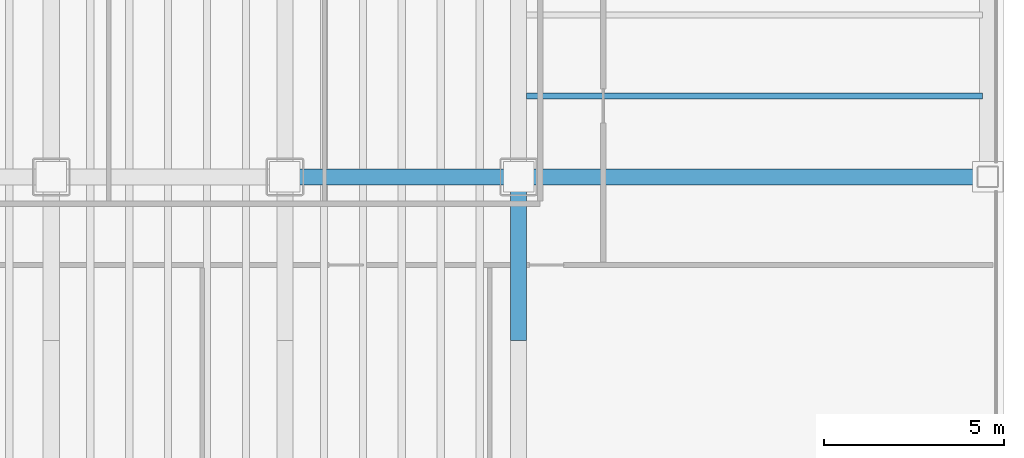
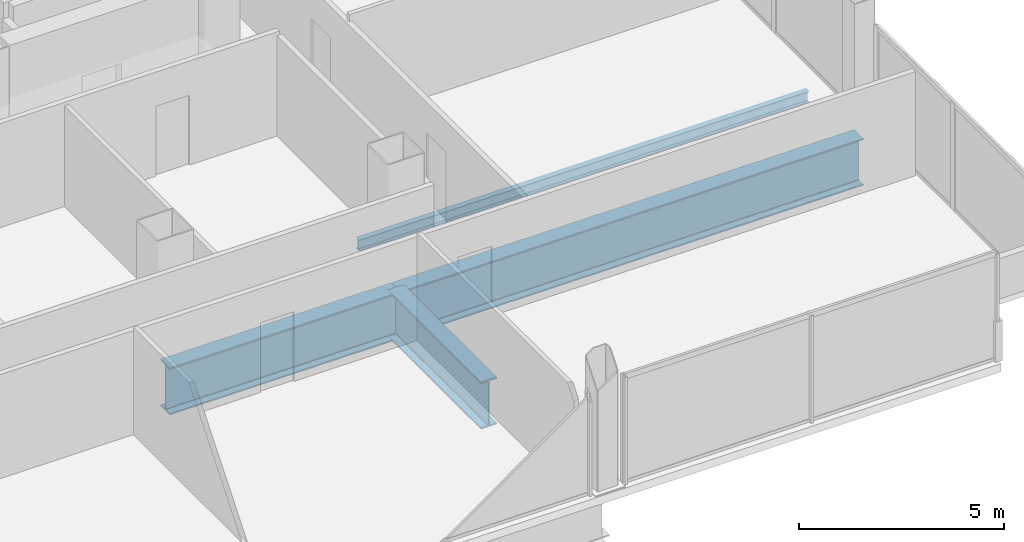
# One storey, part 10 of 21: 4 beams.
"""IFC4 building model written with IfcOpenShell, lengths in metres."""

from ifc_helpers import new_model, si_unit, direction, frame, origin, origin_2d, place, context, subcontext, project, spatial, i_section, extrude, material, material_profile, profile_set, type_object, element, save


model = new_model("IFC4")

# Units and contexts
model_context = context("Model", 3, precision=1e-05, world=origin(), true_north=direction((0.0, 1.0)))
body_context = subcontext(model_context, "Body", "Model", "MODEL_VIEW")
ifc_project = project(units=[si_unit("LENGTHUNIT", "METRE"), si_unit("AREAUNIT", "SQUARE_METRE"), si_unit("VOLUMEUNIT", "CUBIC_METRE"), si_unit("PLANEANGLEUNIT", "RADIAN"), si_unit("MASSUNIT", "GRAM", prefix="KILO")], contexts=[model_context])

# Site, building, storey
site_placement = place(None, origin())
site = spatial("IfcSite", under=ifc_project, at=site_placement, CompositionType="ELEMENT")
building_placement = place(site_placement, origin())
building = spatial("IfcBuilding", under=site, at=building_placement, Name="Noeulbin Bourse Tower", CompositionType="ELEMENT")
storey_placement = place(building_placement, frame((0.0, 0.0, 81.10009765625)))
storey = spatial("IfcBuildingStorey", under=building, at=storey_placement, Name="L20", CompositionType="ELEMENT", Elevation=81.10009765625)

# Beams
ifc_material_1 = material(Name="Steel S355", Category="steel")
ifc_material_profile_1 = material_profile(ifc_material_1, i_section(OverallWidth=0.159912109375, OverallDepth=0.320068359375, WebThickness=0.006591796875, FlangeThickness=0.010009765625, FilletRadius=0.012939453125, at=origin_2d()), Name="H-320x160x6.5x10", Category="LoadBearing")
ifc_profile_set_1 = profile_set([ifc_material_profile_1], Name="Steel S355")
beam_type_1 = type_object("IfcBeamType", Name="BM-JST-320", PredefinedType="JOIST", material=ifc_profile_set_1)
beam_1_placement = place(storey_placement, frame((44.22509765625, 22.25, -0.400146484375), z_axis=(1.0, 0.0, 0.0), x_axis=(0.0, 1.0, 0.0)))
element("IfcBeam", 1, at=beam_1_placement, inside=storey, type_object=beam_type_1, Name="Wing Composite Joist L20-E76", PredefinedType="JOIST", context=body_context, shape_type="SweptSolid", body=[
    extrude(i_section(OverallWidth=0.159912109375, OverallDepth=0.320068359375, WebThickness=0.006591796875, FlangeThickness=0.010009765625, FilletRadius=0.012939453125, at=origin_2d()), origin(), (0.0, 0.0, 1.0), 12.6748046875),
])
ifc_material_2 = material(Name="Steel S460", Category="steel")
ifc_material_profile_2 = material_profile(ifc_material_2, i_section(OverallWidth=0.449951171875, OverallDepth=1.39990234375, WebThickness=0.02392578125, FlangeThickness=0.0400390625, FilletRadius=0.02392578125, at=origin_2d()), Name="PG-1400x450x24x40", Category="LoadBearing")
ifc_profile_set_2 = profile_set([ifc_material_profile_2], Name="Steel S460")
beam_type_2 = type_object("IfcBeamType", Name="BM-TRF-1400", PredefinedType="USERDEFINED", material=ifc_profile_set_2)
beam_2_placement = place(storey_placement, frame((37.5, 20.0, -0.940185546875), z_axis=(1.0, 0.0, 0.0), x_axis=(0.0, 1.0, 0.0)))
element("IfcBeam", 2, at=beam_2_placement, inside=storey, type_object=beam_type_2, Name="Tower Primary Girder EW L20-1.5", ObjectType="GIRDER", PredefinedType="USERDEFINED", context=body_context, shape_type="SweptSolid", body=[
    extrude(i_section(OverallWidth=0.449951171875, OverallDepth=1.39990234375, WebThickness=0.02392578125, FlangeThickness=0.0400390625, FilletRadius=0.02392578125, at=origin_2d()), origin(), (0.0, 0.0, 1.0), 6.5),
])
beam_3_placement = place(storey_placement, frame((44.0, 20.0, -0.940185546875), z_axis=(1.0, 0.0, 0.0), x_axis=(0.0, 1.0, 0.0)))
element("IfcBeam", 3, at=beam_3_placement, inside=storey, type_object=beam_type_2, Name="Tower Primary Girder EW L20-1.6", ObjectType="GIRDER", PredefinedType="USERDEFINED", context=body_context, shape_type="SweptSolid", body=[
    extrude(i_section(OverallWidth=0.449951171875, OverallDepth=1.39990234375, WebThickness=0.02392578125, FlangeThickness=0.0400390625, FilletRadius=0.02392578125, at=origin_2d()), origin(), (0.0, 0.0, 1.0), 13.050048828125),
])
beam_4_placement = place(storey_placement, frame((44.0, 15.449951171875, -0.940185546875), z_axis=(0.0, 1.0, 0.0), x_axis=(-1.0, 0.0, 0.0)))
element("IfcBeam", 4, at=beam_4_placement, inside=storey, type_object=beam_type_2, Name="Tower Primary Girder NS L20-5.3", ObjectType="GIRDER", PredefinedType="USERDEFINED", context=body_context, shape_type="SweptSolid", body=[
    extrude(i_section(OverallWidth=0.449951171875, OverallDepth=1.39990234375, WebThickness=0.02392578125, FlangeThickness=0.0400390625, FilletRadius=0.02392578125, at=origin_2d()), origin(), (0.0, 0.0, 1.0), 4.550048828125),
])

save(model, "model.ifc")
